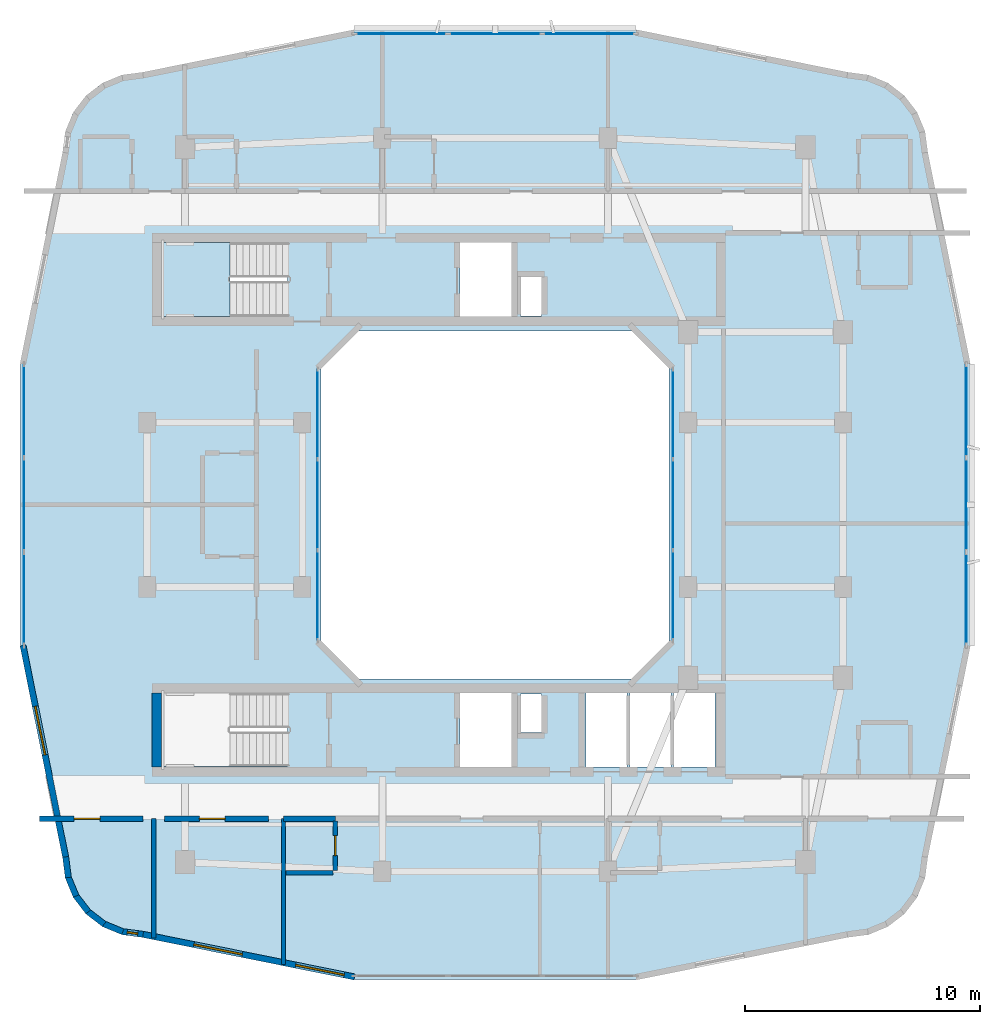
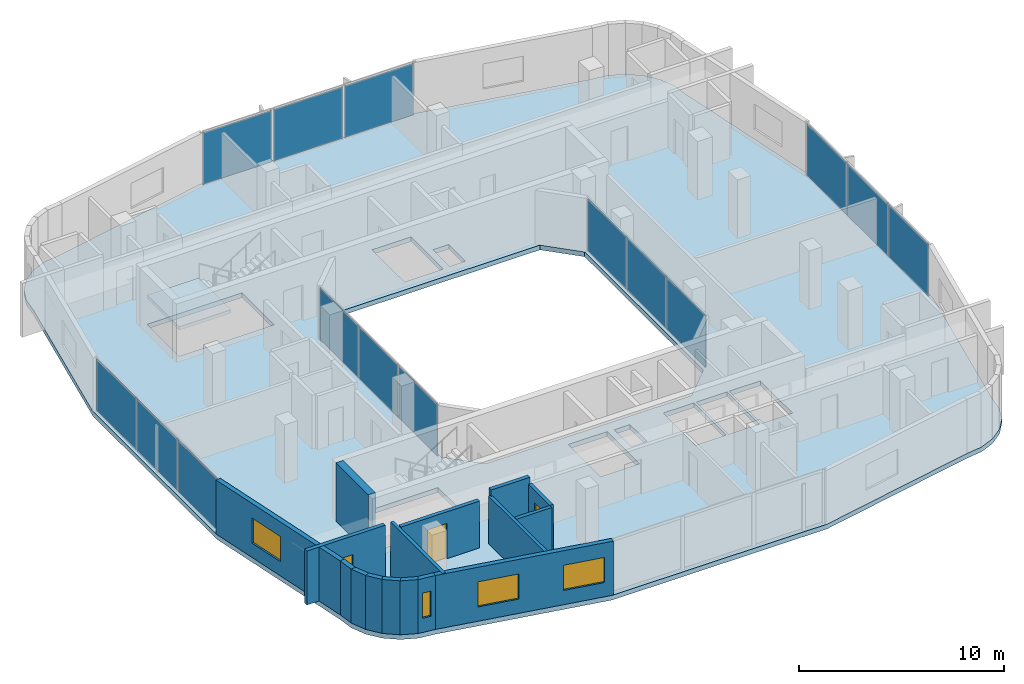
# One storey, part 6 of 14: 16 walls, 15 plates, 4 windows, 3 doors, 2 slabs, 7 openings, 6 elements without a shape of their own.
"""IFC4 building model written with IfcOpenShell, lengths in metres."""

from ifc_helpers import new_model, si_unit, derived_unit, direction, frame, frame_2d, origin, origin_2d, place, context, subcontext, project, spatial, polyline, rectangle, outline, extrude, material, layer, layer_set, type_object, element, fill, aggregate, save


model = new_model("IFC4")

# Units and contexts
model_context = context("Model", 3, precision=1e-05, world=origin(), true_north=direction((0.0, 1.0)))
body_context = subcontext(model_context, "Body", "Model", "MODEL_VIEW")
ifc_project = project(units=[si_unit("LENGTHUNIT", "METRE"), si_unit("AREAUNIT", "SQUARE_METRE"), si_unit("VOLUMEUNIT", "CUBIC_METRE"), si_unit("PLANEANGLEUNIT", "RADIAN"), si_unit("MASSUNIT", "GRAM", prefix="KILO"), derived_unit("THERMALTRANSMITTANCEUNIT", [(si_unit("POWERUNIT", "WATT"), 1), (si_unit("LENGTHUNIT", "METRE"), -2), (si_unit("THERMODYNAMICTEMPERATUREUNIT", "KELVIN"), -1)])], contexts=[model_context])

# Site, building, storey
site_placement = place(None, origin())
site = spatial("IfcSite", under=ifc_project, at=site_placement, CompositionType="ELEMENT")
building_placement = place(site_placement, origin())
building = spatial("IfcBuilding", under=site, at=building_placement, Name="Kivonza Crest Hotel", CompositionType="ELEMENT")
storey_placement = place(building_placement, frame((0.0, 0.0, 162.5)))
storey = spatial("IfcBuildingStorey", under=building, at=storey_placement, Name="L44", CompositionType="ELEMENT", Elevation=162.5)

# Curtain wall, plates
ifc_material_1 = material(Name="Anodised bronze aluminium and low-E double glazing", Category="aluminium")
ifc_layer_1 = layer(ifc_material_1, 0.159912109375)
ifc_layer_set_1 = layer_set([ifc_layer_1], Name="Anodised bronze aluminium and low-E double glazing")
curtain_wall_type_1 = type_object("IfcCurtainWallType", Name="CW-SYS-5", PredefinedType="NOTDEFINED", material=ifc_layer_set_1)
curtain_wall_1_placement = place(storey_placement, origin())
curtain_wall_1 = element("IfcCurtainWall", 1, at=curtain_wall_1_placement, inside=storey, type_object=curtain_wall_type_1, Name="L44 unitised curtain wall CW-WELL-T1-L44-3", PredefinedType="NOTDEFINED")
ifc_material_2 = material(Name="Solar-control low-E double glazing", Category="glass")
ifc_layer_2 = layer(ifc_material_2, 0.028076171875)
ifc_layer_set_2 = layer_set([ifc_layer_2], Name="Solar-control low-E double glazing")
plate_type_1 = type_object("IfcPlateType", Name="CW-PNL-28", PredefinedType="CURTAIN_PANEL", material=ifc_layer_set_2)
plate_1_placement = place(storey_placement, frame((28.56005859375, 21.149658203125, 0.06494140625), z_axis=(0.0, 0.0, 1.0), x_axis=(0.0, 1.0, 0.0)))
plate_1 = element("IfcPlate", 2, at=plate_1_placement, type_object=plate_type_1, Name="CW-5 panel 1.1", PredefinedType="CURTAIN_PANEL", context=body_context, shape_type="SweptSolid", body=[
    extrude(rectangle(XDim=3.769287109375, YDim=0.028076171875, at=origin_2d()), origin(), (0.0, 0.0, 1.0), 3.090087890625),
])
plate_2_placement = place(storey_placement, frame((28.56005859375, 25.0, 0.06494140625), z_axis=(0.0, 0.0, 1.0), x_axis=(0.0, 1.0, 0.0)))
plate_2 = element("IfcPlate", 3, at=plate_2_placement, type_object=plate_type_1, Name="CW-5 panel 2.1", PredefinedType="CURTAIN_PANEL", context=body_context, shape_type="SweptSolid", body=[
    extrude(rectangle(XDim=3.8017578125, YDim=0.028076171875, at=origin_2d()), origin(), (0.0, 0.0, 1.0), 3.090087890625),
])
plate_3_placement = place(storey_placement, frame((28.56005859375, 28.850341796875, 0.06494140625), z_axis=(0.0, 0.0, 1.0), x_axis=(0.0, 1.0, 0.0)))
plate_3 = element("IfcPlate", 4, at=plate_3_placement, type_object=plate_type_1, Name="CW-5 panel 3.1", PredefinedType="CURTAIN_PANEL", context=body_context, shape_type="SweptSolid", body=[
    extrude(rectangle(XDim=3.769287109375, YDim=0.028076171875, at=origin_2d()), origin(), (0.0, 0.0, 1.0), 3.090087890625),
])
aggregate(curtain_wall_1, [plate_1, plate_2, plate_3])

curtain_wall_2_placement = place(storey_placement, origin())
curtain_wall_2 = element("IfcCurtainWall", 5, at=curtain_wall_2_placement, inside=storey, type_object=curtain_wall_type_1, Name="L44 unitised curtain wall CW-WELL-T1-L44-7", PredefinedType="NOTDEFINED")
plate_4_placement = place(storey_placement, frame((13.43994140625, 28.850341796875, 0.06494140625), z_axis=(0.0, 0.0, 1.0), x_axis=(0.0, -1.0, 0.0)))
plate_4 = element("IfcPlate", 6, at=plate_4_placement, type_object=plate_type_1, Name="CW-5 panel 1.1", PredefinedType="CURTAIN_PANEL", context=body_context, shape_type="SweptSolid", body=[
    extrude(rectangle(XDim=3.769287109375, YDim=0.028076171875, at=origin_2d()), origin(), (0.0, 0.0, 1.0), 3.090087890625),
])
plate_5_placement = place(storey_placement, frame((13.43994140625, 25.0, 0.06494140625), z_axis=(0.0, 0.0, 1.0), x_axis=(0.0, -1.0, 0.0)))
plate_5 = element("IfcPlate", 7, at=plate_5_placement, type_object=plate_type_1, Name="CW-5 panel 2.1", PredefinedType="CURTAIN_PANEL", context=body_context, shape_type="SweptSolid", body=[
    extrude(rectangle(XDim=3.8017578125, YDim=0.028076171875, at=origin_2d()), origin(), (0.0, 0.0, 1.0), 3.090087890625),
])
plate_6_placement = place(storey_placement, frame((13.43994140625, 21.149658203125, 0.06494140625), z_axis=(0.0, 0.0, 1.0), x_axis=(0.0, -1.0, 0.0)))
plate_6 = element("IfcPlate", 8, at=plate_6_placement, type_object=plate_type_1, Name="CW-5 panel 3.1", PredefinedType="CURTAIN_PANEL", context=body_context, shape_type="SweptSolid", body=[
    extrude(rectangle(XDim=3.769287109375, YDim=0.028076171875, at=origin_2d()), origin(), (0.0, 0.0, 1.0), 3.090087890625),
])
aggregate(curtain_wall_2, [plate_4, plate_5, plate_6])

ifc_layer_3 = layer(ifc_material_1, 0.179931640625)
ifc_layer_set_3 = layer_set([ifc_layer_3], Name="Anodised bronze aluminium and low-E double glazing")
curtain_wall_type_2 = type_object("IfcCurtainWallType", Name="CW-SYS-3", PredefinedType="NOTDEFINED", material=ifc_layer_set_3)
curtain_wall_3_placement = place(storey_placement, origin())
curtain_wall_3 = element("IfcCurtainWall", 9, at=curtain_wall_3_placement, inside=storey, type_object=curtain_wall_type_2, Name="L44 unitised curtain wall CW-T1-L44-17", PredefinedType="NOTDEFINED")
ifc_material_3 = material(Name="Acoustic triple-laminated low-E glazing", Category="glass")
ifc_layer_4 = layer(ifc_material_3, 0.035888671875)
ifc_layer_set_4 = layer_set([ifc_layer_4], Name="Acoustic triple-laminated low-E glazing")
plate_type_2 = type_object("IfcPlateType", Name="CW-PNL-36", PredefinedType="CURTAIN_PANEL", material=ifc_layer_set_4)
plate_7_placement = place(storey_placement, frame((41.0400390625, 21.00537109375, 0.0751953125), z_axis=(0.0, 0.0, 1.0), x_axis=(0.0, 1.0, 0.0)))
plate_7 = element("IfcPlate", 10, at=plate_7_placement, type_object=plate_type_2, Name="CW-3 panel 1.1", PredefinedType="CURTAIN_PANEL", context=body_context, shape_type="SweptSolid", body=[
    extrude(rectangle(XDim=3.90087890625, YDim=0.035888671875, at=origin_2d()), origin(), (0.0, 0.0, 1.0), 3.070068359375),
])
plate_8_placement = place(storey_placement, frame((41.0400390625, 25.0, 0.0751953125), z_axis=(0.0, 0.0, 1.0), x_axis=(0.0, 1.0, 0.0)))
plate_8 = element("IfcPlate", 11, at=plate_8_placement, type_object=plate_type_2, Name="CW-3 panel 2.1", PredefinedType="CURTAIN_PANEL", context=body_context, shape_type="SweptSolid", body=[
    extrude(rectangle(XDim=3.938232421875, YDim=0.035888671875, at=origin_2d()), origin(), (0.0, 0.0, 1.0), 3.070068359375),
])
plate_9_placement = place(storey_placement, frame((41.0400390625, 28.99462890625, 0.0751953125), z_axis=(0.0, 0.0, 1.0), x_axis=(0.0, 1.0, 0.0)))
plate_9 = element("IfcPlate", 12, at=plate_9_placement, type_object=plate_type_2, Name="CW-3 panel 3.1", PredefinedType="CURTAIN_PANEL", context=body_context, shape_type="SweptSolid", body=[
    extrude(rectangle(XDim=3.90087890625, YDim=0.035888671875, at=origin_2d()), origin(), (0.0, 0.0, 1.0), 3.070068359375),
])
aggregate(curtain_wall_3, [plate_7, plate_8, plate_9])

curtain_wall_4_placement = place(storey_placement, origin())
curtain_wall_4 = element("IfcCurtainWall", 13, at=curtain_wall_4_placement, inside=storey, type_object=curtain_wall_type_2, Name="L44 unitised curtain wall CW-T1-L44-26", PredefinedType="NOTDEFINED")
plate_10_placement = place(storey_placement, frame((24.99462890625, 45.0400390625, 0.0751953125), z_axis=(0.0, 0.0, 1.0), x_axis=(-1.0, 0.0, 0.0)))
plate_10 = element("IfcPlate", 14, at=plate_10_placement, type_object=plate_type_2, Name="CW-3 panel 1.1", PredefinedType="CURTAIN_PANEL", context=body_context, shape_type="SweptSolid", body=[
    extrude(rectangle(XDim=3.90087890625, YDim=0.035888671875, at=origin_2d()), origin(), (0.0, 0.0, 1.0), 3.070068359375),
])
plate_11_placement = place(storey_placement, frame((21.0, 45.0400390625, 0.0751953125), z_axis=(0.0, 0.0, 1.0), x_axis=(-1.0, 0.0, 0.0)))
plate_11 = element("IfcPlate", 15, at=plate_11_placement, type_object=plate_type_2, Name="CW-3 panel 2.1", PredefinedType="CURTAIN_PANEL", context=body_context, shape_type="SweptSolid", body=[
    extrude(rectangle(XDim=3.938232421875, YDim=0.035888671875, at=origin_2d()), origin(), (0.0, 0.0, 1.0), 3.070068359375),
])
plate_12_placement = place(storey_placement, frame((17.00537109375, 45.0400390625, 0.0751953125), z_axis=(0.0, 0.0, 1.0), x_axis=(-1.0, 0.0, 0.0)))
plate_12 = element("IfcPlate", 16, at=plate_12_placement, type_object=plate_type_2, Name="CW-3 panel 3.1", PredefinedType="CURTAIN_PANEL", context=body_context, shape_type="SweptSolid", body=[
    extrude(rectangle(XDim=3.90087890625, YDim=0.035888671875, at=origin_2d()), origin(), (0.0, 0.0, 1.0), 3.070068359375),
])
aggregate(curtain_wall_4, [plate_10, plate_11, plate_12])

curtain_wall_5_placement = place(storey_placement, origin())
curtain_wall_5 = element("IfcCurtainWall", 17, at=curtain_wall_5_placement, inside=storey, type_object=curtain_wall_type_2, Name="L44 unitised curtain wall CW-T1-L44-35", PredefinedType="NOTDEFINED")
plate_13_placement = place(storey_placement, frame((0.9599609375, 28.99462890625, 0.0751953125), z_axis=(0.0, 0.0, 1.0), x_axis=(0.0, -1.0, 0.0)))
plate_13 = element("IfcPlate", 18, at=plate_13_placement, type_object=plate_type_2, Name="CW-3 panel 1.1", PredefinedType="CURTAIN_PANEL", context=body_context, shape_type="SweptSolid", body=[
    extrude(rectangle(XDim=3.90087890625, YDim=0.035888671875, at=origin_2d()), origin(), (0.0, 0.0, 1.0), 3.070068359375),
])
plate_14_placement = place(storey_placement, frame((0.9599609375, 25.0, 0.0751953125), z_axis=(0.0, 0.0, 1.0), x_axis=(0.0, -1.0, 0.0)))
plate_14 = element("IfcPlate", 19, at=plate_14_placement, type_object=plate_type_2, Name="CW-3 panel 2.1", PredefinedType="CURTAIN_PANEL", context=body_context, shape_type="SweptSolid", body=[
    extrude(rectangle(XDim=3.938232421875, YDim=0.035888671875, at=origin_2d()), origin(), (0.0, 0.0, 1.0), 3.070068359375),
])
plate_15_placement = place(storey_placement, frame((0.9599609375, 21.00537109375, 0.0751953125), z_axis=(0.0, 0.0, 1.0), x_axis=(0.0, -1.0, 0.0)))
plate_15 = element("IfcPlate", 20, at=plate_15_placement, type_object=plate_type_2, Name="CW-3 panel 3.1", PredefinedType="CURTAIN_PANEL", context=body_context, shape_type="SweptSolid", body=[
    extrude(rectangle(XDim=3.90087890625, YDim=0.035888671875, at=origin_2d()), origin(), (0.0, 0.0, 1.0), 3.070068359375),
])
aggregate(curtain_wall_5, [plate_13, plate_14, plate_15])

# Slab
ifc_material_4 = material(Name="Concrete C40/50", Category="concrete")
ifc_layer_5 = layer(ifc_material_4, 0.280029296875)
ifc_layer_set_5 = layer_set([ifc_layer_5], Name="Concrete C40/50")
slab_type_1 = type_object("IfcSlabType", Name="SL-HTL-280", PredefinedType="FLOOR", material=ifc_layer_set_5)
slab_1_placement = place(storey_placement, frame((0.0, 0.0, -0.280029296875)))
element("IfcSlab", 21, at=slab_1_placement, inside=storey, type_object=slab_type_1, Name="Tower T1 L44 floor slab", PredefinedType="FLOOR", context=body_context, shape_type="SweptSolid", body=[
    extrude(outline(polyline([(2.60009765625, 10.0), (2.716064453125, 9.1201171875), (3.055908203125, 8.300048828125), (3.595947265625, 7.595947265625), (4.300048828125, 7.055908203125), (5.1201171875, 6.716064453125), (6.0, 6.60009765625), (14.93994140625, 4.800048828125), (27.06005859375, 4.800048828125), (36.0, 6.60009765625), (36.8798828125, 6.716064453125), (37.699951171875, 7.055908203125), (38.404052734375, 7.595947265625), (38.944091796875, 8.300048828125), (39.283935546875, 9.1201171875), (39.39990234375, 10.0), (41.199951171875, 18.93994140625), (41.199951171875, 31.06005859375), (39.39990234375, 40.0), (39.283935546875, 40.8798828125), (38.944091796875, 41.699951171875), (38.404052734375, 42.404052734375), (37.699951171875, 42.944091796875), (36.8798828125, 43.283935546875), (36.0, 43.39990234375), (27.06005859375, 45.199951171875), (14.93994140625, 45.199951171875), (6.0, 43.39990234375), (5.1201171875, 43.283935546875), (4.300048828125, 42.944091796875), (3.595947265625, 42.404052734375), (3.055908203125, 41.699951171875), (2.716064453125, 40.8798828125), (2.60009765625, 40.0), (0.800048828125, 31.06005859375), (0.800048828125, 18.93994140625), (2.60009765625, 10.0)]), holes=[polyline([(15.199951171875, 17.60009765625), (26.800048828125, 17.60009765625), (28.39990234375, 19.199951171875), (28.39990234375, 30.800048828125), (26.800048828125, 32.39990234375), (15.199951171875, 32.39990234375), (13.60009765625, 30.800048828125), (13.60009765625, 19.199951171875), (15.199951171875, 17.60009765625)]), polyline([(6.800048828125, 33.02001953125), (12.159912109375, 33.02001953125), (12.159912109375, 36.159912109375), (6.800048828125, 36.159912109375), (6.800048828125, 33.02001953125)]), polyline([(6.800048828125, 13.860107421875), (12.159912109375, 13.860107421875), (12.159912109375, 17.0), (6.800048828125, 17.0), (6.800048828125, 13.860107421875)]), polyline([(22.080078125, 33.0400390625), (22.969970703125, 33.0400390625), (22.969970703125, 34.679931640625), (22.080078125, 34.679931640625), (22.080078125, 33.0400390625)]), polyline([(22.080078125, 15.320068359375), (22.969970703125, 15.320068359375), (22.969970703125, 16.9599609375), (22.080078125, 16.9599609375), (22.080078125, 15.320068359375)]), polyline([(19.5, 33.0), (21.699951171875, 33.0), (21.699951171875, 36.159912109375), (19.5, 36.159912109375), (19.5, 33.0)]), polyline([(19.5, 13.840087890625), (21.699951171875, 13.840087890625), (21.699951171875, 17.0), (19.5, 17.0), (19.5, 13.840087890625)]), polyline([(24.860107421875, 13.840087890625), (26.60693359375, 13.840087890625), (26.60693359375, 17.0), (24.860107421875, 17.0), (24.860107421875, 13.840087890625)]), polyline([(26.72705078125, 13.840087890625), (28.472900390625, 13.840087890625), (28.472900390625, 17.0), (26.72705078125, 17.0), (26.72705078125, 13.840087890625)]), polyline([(28.593017578125, 13.840087890625), (30.340087890625, 13.840087890625), (30.340087890625, 17.0), (28.593017578125, 17.0), (28.593017578125, 13.840087890625)])]), origin(), (0.0, 0.0, 1.0), 0.280029296875),
])

# Stair, slab
stair_type = type_object("IfcStairType", Name="ST-DL-20R", PredefinedType="HALF_TURN_STAIR", material=ifc_material_4)
stair_placement = place(storey_placement, origin())
stair = element("IfcStair", 22, at=stair_placement, inside=storey, type_object=stair_type, Name="L44 Protected Exit Stair ST-T1-N", PredefinedType="HALF_TURN_STAIR")
ifc_layer_6 = layer(ifc_material_4, 0.199951171875)
ifc_layer_set_6 = layer_set([ifc_layer_6], Name="Concrete C40/50")
slab_type_2 = type_object("IfcSlabType", Name="SL-LAND-200", PredefinedType="LANDING", material=ifc_layer_set_6)
slab_2_placement = place(storey_placement, frame((0.0, 0.0, 1.550048828125)))
slab_2 = element("IfcSlab", 23, at=slab_2_placement, type_object=slab_type_2, Name="ST-T1-N landing 1", PredefinedType="LANDING", context=body_context, shape_type="SweptSolid", body=[
    extrude(outline(polyline([(9.719970703125, 36.159912109375), (6.800048828125, 36.159912109375), (6.800048828125, 33.02001953125), (9.719970703125, 33.02001953125), (9.719970703125, 36.159912109375)])), origin(), (0.0, 0.0, 1.0), 0.199951171875),
])
aggregate(stair, [slab_2])

# Walls
ifc_material_5 = material(Name="High-density acoustic masonry inter-tenancy wall", Category="masonry")
ifc_layer_7 = layer(ifc_material_5, 0.179931640625)
ifc_layer_set_7 = layer_set([ifc_layer_7], Name="High-density acoustic masonry inter-tenancy wall")
wall_type_1 = type_object("IfcWallType", Name="WL-ACOU-180", PredefinedType="SOLIDWALL", material=ifc_layer_set_7)
wall_1_placement = place(storey_placement, frame((6.47998046875, 6.56494140625, 0.0), z_axis=(0.0, 0.0, 1.0), x_axis=(0.0, 1.0, 0.0)))
element("IfcWall", 24, at=wall_1_placement, inside=storey, type_object=wall_type_1, Name="L44 interior partition WA-L44-T1S-SPDIV", PredefinedType="SOLIDWALL", context=body_context, shape_type="SweptSolid", body=[
    extrude(rectangle(XDim=5.0849609375, YDim=0.179931640625, at=frame_2d((2.54248046875, 0.0))), origin(), (0.0, 0.0, 1.0), 3.219970703125),
])
wall_2_placement = place(storey_placement, frame((12.0, 5.452880859375, 0.0), z_axis=(0.0, 0.0, 1.0), x_axis=(0.0, 1.0, 0.0)))
element("IfcWall", 25, at=wall_2_placement, inside=storey, type_object=wall_type_1, Name="L44 interior partition WA-L44-T1S-DIV1", PredefinedType="SOLIDWALL", context=body_context, shape_type="SweptSolid", body=[
    extrude(rectangle(XDim=6.197021484375, YDim=0.179931640625, at=frame_2d((3.0986328125, 0.0))), origin(), (0.0, 0.0, 1.0), 2.8349609375),
])

# Wall, opening, door
ifc_material_6 = material(Name="Autoclaved aerated concrete blockwork", Category="masonry")
ifc_layer_8 = layer(ifc_material_6, 0.219970703125)
ifc_layer_set_8 = layer_set([ifc_layer_8], Name="Autoclaved aerated concrete blockwork")
wall_type_2 = type_object("IfcWallType", Name="WL-ACOU-220", PredefinedType="SOLIDWALL", material=ifc_layer_set_8)
wall_3_placement = place(storey_placement, frame((1.610107421875, 11.64990234375, 0.0), z_axis=(0.0, 0.0, 1.0), x_axis=(1.0, 0.0, 0.0)))
wall_3 = element("IfcWall", 26, at=wall_3_placement, inside=storey, type_object=wall_type_2, Name="L44 interior partition WA-L44-Z2-SPA1-N", PredefinedType="SOLIDWALL", context=body_context, shape_type="SweptSolid", body=[
    extrude(rectangle(XDim=4.419921875, YDim=0.219970703125, at=frame_2d((2.2099609375, 0.0))), origin(), (0.0, 0.0, 1.0), 3.219970703125),
])
opening_1_placement = place(wall_3_placement, frame((1.48388671875, 0.0, 0.0)))
opening_1 = element("IfcOpeningElement", 27, at=opening_1_placement, cuts=wall_3, Name="Opening DF-60M", PredefinedType="OPENING", context=body_context, shape_type="SweptSolid", body=[
    extrude(rectangle(XDim=1.10009765625, YDim=2.10009765625, at=frame_2d((0.550048828125, 1.050048828125))), frame((0.0, 0.1201171875, 0.0), z_axis=(0.0, -1.0, 0.0), x_axis=(1.0, 0.0, 0.0)), (0.0, 0.0, 1.0), 0.239990234375),
])
ifc_material_7 = material(Name="Hardwood timber oak", Category="wood")
door_type_1 = type_object("IfcDoorType", Name="DR-FD60-1100", OperationType="NOTDEFINED", PredefinedType="DOOR", material=ifc_material_7)
door_1_placement = place(opening_1_placement, frame((1.10009765625, 0.0, 0.0), z_axis=(0.0, 0.0, 1.0), x_axis=(-1.0, 0.0, 0.0)))
door_1 = element("IfcDoor", 28, at=door_1_placement, inside=storey, type_object=door_type_1, Name="L44 Horizon Fitness Studio door", OperationType="SINGLE_SWING_RIGHT", OverallHeight=2.10009765625, OverallWidth=1.10009765625, PredefinedType="DOOR", context=body_context, shape_type="SweptSolid", body=[
    extrude(rectangle(XDim=1.10009765625, YDim=2.10009765625, at=frame_2d((0.550048828125, 1.050048828125))), frame((0.0, 0.02490234375, 0.0), z_axis=(0.0, -1.0, 0.0), x_axis=(1.0, 0.0, 0.0)), (0.0, 0.0, 1.0), 0.050048828125),
])
fill(opening_1, door_1)

wall_4_placement = place(storey_placement, frame((6.929931640625, 11.64990234375, 0.0), z_axis=(0.0, 0.0, 1.0), x_axis=(1.0, 0.0, 0.0)))
wall_4 = element("IfcWall", 29, at=wall_4_placement, inside=storey, type_object=wall_type_2, Name="L44 interior partition WA-L44-Z2-SPA2-N", PredefinedType="SOLIDWALL", context=body_context, shape_type="SweptSolid", body=[
    extrude(rectangle(XDim=4.420166015625, YDim=0.219970703125, at=frame_2d((2.2099609375, 0.0))), origin(), (0.0, 0.0, 1.0), 2.794921875),
])
opening_2_placement = place(wall_4_placement, frame((1.48388671875, 0.0, 0.0)))
opening_2 = element("IfcOpeningElement", 30, at=opening_2_placement, cuts=wall_4, Name="Opening DF-60M", PredefinedType="OPENING", context=body_context, shape_type="SweptSolid", body=[
    extrude(rectangle(XDim=1.10009765625, YDim=2.10009765625, at=frame_2d((0.550048828125, 1.050048828125))), frame((0.0, 0.1201171875, 0.0), z_axis=(0.0, -1.0, 0.0), x_axis=(1.0, 0.0, 0.0)), (0.0, 0.0, 1.0), 0.239990234375),
])
door_2_placement = place(opening_2_placement, frame((1.10009765625, 0.0, 0.0), z_axis=(0.0, 0.0, 1.0), x_axis=(-1.0, 0.0, 0.0)))
door_2 = element("IfcDoor", 31, at=door_2_placement, inside=storey, type_object=door_type_1, Name="L44 Horizon Yoga Wellness Studio door", OperationType="SINGLE_SWING_LEFT", OverallHeight=2.10009765625, OverallWidth=1.10009765625, PredefinedType="DOOR", context=body_context, shape_type="SweptSolid", body=[
    extrude(rectangle(XDim=1.10009765625, YDim=2.10009765625, at=frame_2d((0.550048828125, 1.050048828125))), frame((0.0, 0.02490234375, 0.0), z_axis=(0.0, -1.0, 0.0), x_axis=(1.0, 0.0, 0.0)), (0.0, 0.0, 1.0), 0.050048828125),
])
fill(opening_2, door_2)

# Walls
wall_5_placement = place(storey_placement, frame((12.0, 11.64990234375, 0.0), z_axis=(0.0, 0.0, 1.0), x_axis=(1.0, 0.0, 0.0)))
element("IfcWall", 32, at=wall_5_placement, inside=storey, type_object=wall_type_2, Name="L44 interior partition WA-L44-S05-BCORR", PredefinedType="SOLIDWALL", context=body_context, shape_type="SweptSolid", body=[
    extrude(rectangle(XDim=2.199951171875, YDim=0.219970703125, at=frame_2d((1.10009765625, 0.0))), origin(), (0.0, 0.0, 1.0), 3.219970703125),
])
ifc_material_8 = material(Name="Concrete C50/60", Category="concrete")
ifc_layer_9 = layer(ifc_material_8, 0.39990234375)
ifc_layer_set_9 = layer_set([ifc_layer_9], Name="Concrete C50/60")
wall_type_3 = type_object("IfcWallType", Name="WL-CORE-400", PredefinedType="SHEAR", material=ifc_layer_set_9)
wall_6_placement = place(storey_placement, frame((6.60009765625, 13.840087890625, 0.0), z_axis=(0.0, 0.0, 1.0), x_axis=(0.0, 1.0, 0.0)))
element("IfcWall", 33, at=wall_6_placement, inside=storey, type_object=wall_type_3, Name="Core wall T1-S West L44", PredefinedType="SHEAR", context=body_context, shape_type="SweptSolid", body=[
    extrude(rectangle(XDim=3.159912109375, YDim=0.39990234375, at=frame_2d((1.580078125, 0.0))), origin(), (0.0, 0.0, 1.0), 3.5),
])
ifc_material_9 = material(Name="Precast concrete C40/50", Category="concrete")
ifc_layer_10 = layer(ifc_material_9, 0.260009765625)
ifc_layer_set_10 = layer_set([ifc_layer_10], Name="Precast concrete C40/50")
wall_type_4 = type_object("IfcWallType", Name="WL-EXT-260", PredefinedType="STANDARD", material=ifc_layer_set_10)
wall_7_placement = place(storey_placement, frame((2.72802734375, 10.02490234375, 0.0), z_axis=(0.0, 0.0, 1.0), x_axis=(0.130953706898, -0.991388484223, 0.0)))
element("IfcWall", 34, at=wall_7_placement, inside=storey, type_object=wall_type_4, Name="L44 T1 exterior insulated wall 1", PredefinedType="STANDARD", context=body_context, shape_type="SweptSolid", body=[
    extrude(rectangle(XDim=0.885498046875, YDim=0.260009765625, at=frame_2d((0.44287109375, 0.0))), origin(), (0.0, 0.0, 1.0), 3.219970703125),
])
wall_8_placement = place(storey_placement, frame((2.825927734375, 9.193115234375, 0.0), z_axis=(0.0, 0.0, 1.0), x_axis=(0.383290660547, -0.923627776508, 0.0)))
element("IfcWall", 35, at=wall_8_placement, inside=storey, type_object=wall_type_4, Name="L44 T1 exterior insulated wall 2", PredefinedType="STANDARD", context=body_context, shape_type="SweptSolid", body=[
    extrude(rectangle(XDim=0.9033203125, YDim=0.260009765625, at=frame_2d((0.45166015625, 0.0))), origin(), (0.0, 0.0, 1.0), 3.219970703125),
])
wall_9_placement = place(storey_placement, frame((3.14404296875, 8.39892578125, 0.0), z_axis=(0.0, 0.0, 1.0), x_axis=(0.608624690463, -0.793458244748, 0.0)))
element("IfcWall", 36, at=wall_9_placement, inside=storey, type_object=wall_type_4, Name="L44 T1 exterior insulated wall 3", PredefinedType="STANDARD", context=body_context, shape_type="SweptSolid", body=[
    extrude(rectangle(XDim=0.902099609375, YDim=0.260009765625, at=frame_2d((0.451171875, 0.0))), origin(), (0.0, 0.0, 1.0), 3.219970703125),
])
wall_10_placement = place(storey_placement, frame((3.655029296875, 7.714111328125, 0.0), z_axis=(0.0, 0.0, 1.0), x_axis=(0.793558456666, -0.608494022858, 0.0)))
element("IfcWall", 37, at=wall_10_placement, inside=storey, type_object=wall_type_4, Name="L44 T1 exterior insulated wall 4", PredefinedType="STANDARD", context=body_context, shape_type="SweptSolid", body=[
    extrude(rectangle(XDim=0.90234375, YDim=0.260009765625, at=frame_2d((0.451171875, 0.0))), origin(), (0.0, 0.0, 1.0), 3.219970703125),
])
wall_11_placement = place(storey_placement, frame((4.326904296875, 7.18603515625, 0.0), z_axis=(0.0, 0.0, 1.0), x_axis=(0.923683767999, -0.383155708213, 0.0)))
element("IfcWall", 38, at=wall_11_placement, inside=storey, type_object=wall_type_4, Name="L44 T1 exterior insulated wall 5", PredefinedType="STANDARD", context=body_context, shape_type="SweptSolid", body=[
    extrude(rectangle(XDim=0.90283203125, YDim=0.260009765625, at=frame_2d((0.451416015625, 0.0))), origin(), (0.0, 0.0, 1.0), 3.219970703125),
])

# Wall, opening, window
wall_12_placement = place(storey_placement, frame((5.112060546875, 6.847900390625, 0.0), z_axis=(0.0, 0.0, 1.0), x_axis=(0.991487658083, -0.130200706103, 0.0)))
wall_12 = element("IfcWall", 39, at=wall_12_placement, inside=storey, type_object=wall_type_4, Name="L44 T1 exterior insulated wall 6", PredefinedType="STANDARD", context=body_context, shape_type="SweptSolid", body=[
    extrude(rectangle(XDim=0.920654296875, YDim=0.260009765625, at=frame_2d((0.46044921875, 0.0))), origin(), (0.0, 0.0, 1.0), 3.219970703125),
])
opening_3_placement = place(wall_12_placement, frame((0.235107421875, 0.0, 0.85009765625)))
opening_3 = element("IfcOpeningElement", 40, at=opening_3_placement, cuts=wall_12, Name="Opening WN-11", PredefinedType="OPENING", context=body_context, shape_type="SweptSolid", body=[
    extrude(rectangle(XDim=0.449951171875, YDim=1.5, at=frame_2d((0.22509765625, 0.75))), frame((0.0, 0.14013671875, 0.0), z_axis=(0.0, -1.0, 0.0), x_axis=(1.0, 0.0, 0.0)), (0.0, 0.0, 1.0), 0.280029296875),
])
ifc_material_10 = material(Name="Thermally broken bronze aluminium and low-E double glazing", Category="aluminium")
window_type_1 = type_object("IfcWindowType", Name="WN-045x150", PartitioningType="SINGLE_PANEL", PredefinedType="WINDOW", material=ifc_material_10)
window_1_placement = place(opening_3_placement, origin())
window_1 = element("IfcWindow", 41, at=window_1_placement, inside=storey, type_object=window_type_1, Name="L44 corner vision window 2", OverallHeight=1.5, OverallWidth=0.449951171875, PartitioningType="SINGLE_PANEL", PredefinedType="WINDOW", context=body_context, shape_type="SweptSolid", body=[
    extrude(rectangle(XDim=0.449951171875, YDim=1.5, at=frame_2d((0.22509765625, 0.75))), frame((0.0, 0.030029296875, 0.0), z_axis=(0.0, -1.0, 0.0), x_axis=(1.0, 0.0, 0.0)), (0.0, 0.0, 1.0), 0.06005859375),
])
fill(opening_3, window_1)

# Wall, openings, windows
wall_13_placement = place(storey_placement, frame((6.01806640625, 6.72900390625, 0.0), z_axis=(0.0, 0.0, 1.0), x_axis=(0.980315963543, -0.197435082048, 0.0)))
wall_13 = element("IfcWall", 42, at=wall_13_placement, inside=storey, type_object=wall_type_4, Name="L44 T1 exterior insulated wall 7", PredefinedType="STANDARD", context=body_context, shape_type="SweptSolid", body=[
    extrude(rectangle(XDim=9.1826171875, YDim=0.260009765625, at=frame_2d((4.59130859375, 0.0))), origin(), (0.0, 0.0, 1.0), 3.219970703125),
])
opening_4_placement = place(wall_13_placement, frame((2.2109375, 0.0, 0.85009765625)))
opening_4 = element("IfcOpeningElement", 43, at=opening_4_placement, cuts=wall_13, Name="Opening WN-04", PredefinedType="OPENING", context=body_context, shape_type="SweptSolid", body=[
    extrude(rectangle(XDim=2.10009765625, YDim=1.5, at=frame_2d((1.050048828125, 0.75))), frame((0.0, 0.14013671875, 0.0), z_axis=(0.0, -1.0, 0.0), x_axis=(1.0, 0.0, 0.0)), (0.0, 0.0, 1.0), 0.280029296875),
])
opening_5_placement = place(wall_13_placement, frame((6.62890625, 0.0, 0.85009765625)))
opening_5 = element("IfcOpeningElement", 44, at=opening_5_placement, cuts=wall_13, Name="Opening WN-04", PredefinedType="OPENING", context=body_context, shape_type="SweptSolid", body=[
    extrude(rectangle(XDim=2.10009765625, YDim=1.5, at=frame_2d((1.050048828125, 0.75))), frame((0.0, 0.14013671875, 0.0), z_axis=(0.0, -1.0, 0.0), x_axis=(1.0, 0.0, 0.0)), (0.0, 0.0, 1.0), 0.280029296875),
])
window_type_2 = type_object("IfcWindowType", Name="WN-210x150", PartitioningType="DOUBLE_PANEL_VERTICAL", PredefinedType="WINDOW", material=ifc_material_10)
window_2_placement = place(opening_4_placement, origin())
window_2 = element("IfcWindow", 45, at=window_2_placement, inside=storey, type_object=window_type_2, Name="L44 T1 facade window 7 bay 1", OverallHeight=1.5, OverallWidth=2.10009765625, PartitioningType="SINGLE_PANEL", PredefinedType="WINDOW", context=body_context, shape_type="SweptSolid", body=[
    extrude(rectangle(XDim=2.10009765625, YDim=1.5, at=frame_2d((1.050048828125, 0.75))), frame((0.0, 0.030029296875, 0.0), z_axis=(0.0, -1.0, 0.0), x_axis=(1.0, 0.0, 0.0)), (0.0, 0.0, 1.0), 0.06005859375),
])
fill(opening_4, window_2)
window_3_placement = place(opening_5_placement, origin())
window_3 = element("IfcWindow", 46, at=window_3_placement, inside=storey, type_object=window_type_2, Name="L44 T1 facade window 7 bay 2", OverallHeight=1.5, OverallWidth=2.10009765625, PartitioningType="SINGLE_PANEL", PredefinedType="WINDOW", context=body_context, shape_type="SweptSolid", body=[
    extrude(rectangle(XDim=2.10009765625, YDim=1.5, at=frame_2d((1.050048828125, 0.75))), frame((0.0, 0.030029296875, 0.0), z_axis=(0.0, -1.0, 0.0), x_axis=(1.0, 0.0, 0.0)), (0.0, 0.0, 1.0), 0.06005859375),
])
fill(opening_5, window_3)

# Wall, opening, window
wall_14_placement = place(storey_placement, frame((0.916015625, 19.02001953125, 0.0), z_axis=(0.0, 0.0, 1.0), x_axis=(0.197435082048, -0.980315963543, 0.0)))
wall_14 = element("IfcWall", 47, at=wall_14_placement, inside=storey, type_object=wall_type_4, Name="L44 T1 exterior insulated wall 36", PredefinedType="STANDARD", context=body_context, shape_type="SweptSolid", body=[
    extrude(rectangle(XDim=9.1826171875, YDim=0.260009765625, at=frame_2d((4.59130859375, 0.0))), origin(), (0.0, 0.0, 1.0), 3.219970703125),
])
opening_6_placement = place(wall_14_placement, frame((2.64697265625, 0.0, 0.85009765625)))
opening_6 = element("IfcOpeningElement", 48, at=opening_6_placement, cuts=wall_14, Name="Opening WN-04", PredefinedType="OPENING", context=body_context, shape_type="SweptSolid", body=[
    extrude(rectangle(XDim=2.10009765625, YDim=1.5, at=frame_2d((1.050048828125, 0.75))), frame((0.0, 0.14013671875, 0.0), z_axis=(0.0, -1.0, 0.0), x_axis=(1.0, 0.0, 0.0)), (0.0, 0.0, 1.0), 0.280029296875),
])
window_4_placement = place(opening_6_placement, origin())
window_4 = element("IfcWindow", 49, at=window_4_placement, inside=storey, type_object=window_type_2, Name="L44 T1 facade window 36", OverallHeight=1.5, OverallWidth=2.10009765625, PartitioningType="SINGLE_PANEL", PredefinedType="WINDOW", context=body_context, shape_type="SweptSolid", body=[
    extrude(rectangle(XDim=2.10009765625, YDim=1.5, at=frame_2d((1.050048828125, 0.75))), frame((0.0, 0.030029296875, 0.0), z_axis=(0.0, -1.0, 0.0), x_axis=(1.0, 0.0, 0.0)), (0.0, 0.0, 1.0), 0.06005859375),
])
fill(opening_6, window_4)

# Wall, opening, door
ifc_material_11 = material(Name="Moisture-resistant plumbing chase partition wall", Category="gypsum")
ifc_layer_11 = layer(ifc_material_11, 0.199951171875)
ifc_layer_set_11 = layer_set([ifc_layer_11], Name="Moisture-resistant plumbing chase partition wall")
wall_type_5 = type_object("IfcWallType", Name="WL-PLUMB-200", PredefinedType="PLUMBINGWALL", material=ifc_layer_set_11)
wall_15_placement = place(storey_placement, frame((14.199951171875, 9.449951171875, 0.0), z_axis=(0.0, 0.0, 1.0), x_axis=(0.0, 1.0, 0.0)))
wall_15 = element("IfcWall", 50, at=wall_15_placement, inside=storey, type_object=wall_type_5, Name="L44 interior partition WW-L44-S05-BV", PredefinedType="PLUMBINGWALL", context=body_context, shape_type="SweptSolid", body=[
    extrude(rectangle(XDim=2.10009765625, YDim=0.199951171875, at=frame_2d((1.050048828125, 0.0))), origin(), (0.0, 0.0, 1.0), 2.8349609375),
])
opening_7_placement = place(wall_15_placement, frame((0.625, 0.0, 0.0)))
opening_7 = element("IfcOpeningElement", 51, at=opening_7_placement, cuts=wall_15, Name="Opening DI-85", PredefinedType="OPENING", context=body_context, shape_type="SweptSolid", body=[
    extrude(rectangle(XDim=0.85009765625, YDim=2.10009765625, at=frame_2d((0.425048828125, 1.050048828125))), frame((0.0, 0.10986328125, 0.0), z_axis=(0.0, -1.0, 0.0), x_axis=(1.0, 0.0, 0.0)), (0.0, 0.0, 1.0), 0.219970703125),
])
door_type_2 = type_object("IfcDoorType", Name="DR-INT-850", OperationType="NOTDEFINED", PredefinedType="DOOR", material=ifc_material_7)
door_3_placement = place(opening_7_placement, frame((0.85009765625, 0.0, 0.0), z_axis=(0.0, 0.0, 1.0), x_axis=(-1.0, 0.0, 0.0)))
door_3 = element("IfcDoor", 52, at=door_3_placement, inside=storey, type_object=door_type_2, Name="L44 S05 en-suite bathroom door", OperationType="SINGLE_SWING_RIGHT", OverallHeight=2.10009765625, OverallWidth=0.85009765625, PredefinedType="DOOR", context=body_context, shape_type="SweptSolid", body=[
    extrude(rectangle(XDim=0.85009765625, YDim=2.10009765625, at=frame_2d((0.425048828125, 1.050048828125))), frame((0.0, 0.02490234375, 0.0), z_axis=(0.0, -1.0, 0.0), x_axis=(1.0, 0.0, 0.0)), (0.0, 0.0, 1.0), 0.050048828125),
])
fill(opening_7, door_3)

# Wall
wall_16_placement = place(storey_placement, frame((12.10009765625, 9.35009765625, 0.0), z_axis=(0.0, 0.0, 1.0), x_axis=(1.0, 0.0, 0.0)))
element("IfcWall", 53, at=wall_16_placement, inside=storey, type_object=wall_type_5, Name="L44 interior partition WW-L44-S05-BH", PredefinedType="PLUMBINGWALL", context=body_context, shape_type="SweptSolid", body=[
    extrude(rectangle(XDim=2.0, YDim=0.199951171875, at=frame_2d((1.0, 0.0))), origin(), (0.0, 0.0, 1.0), 2.8349609375),
])

save(model, "model.ifc")
